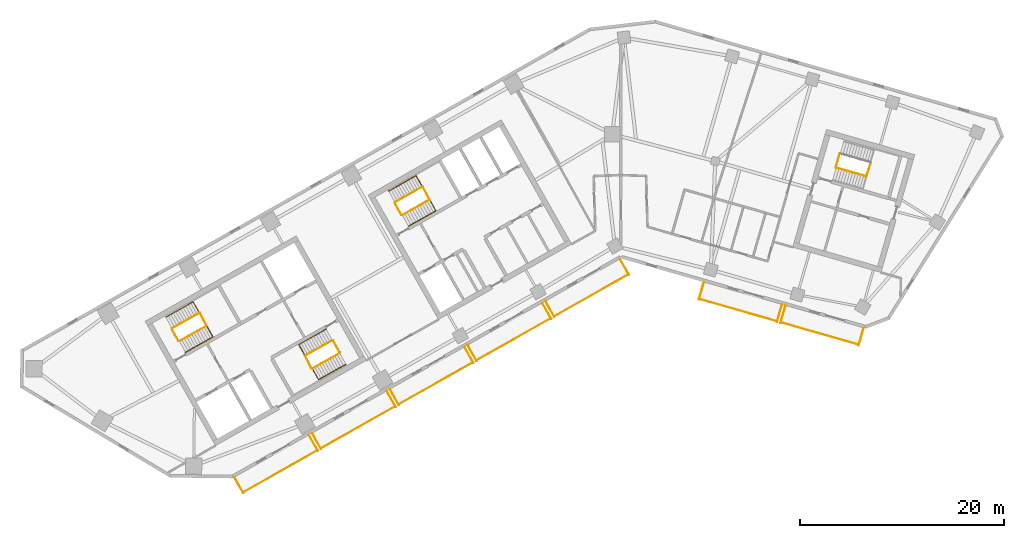
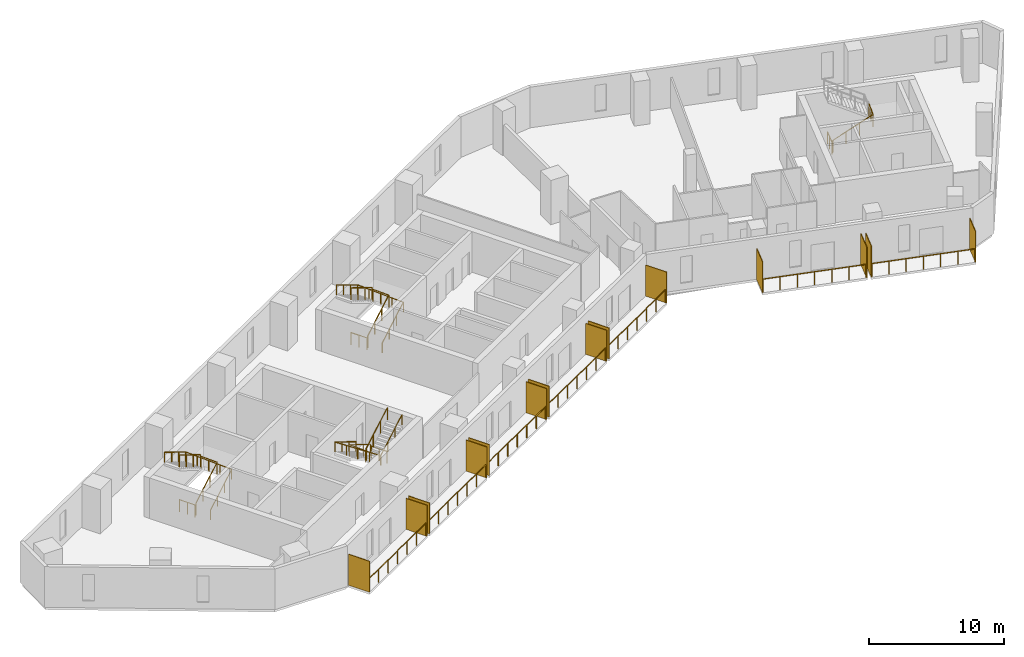
# One storey, part 8 of 9: 21 railings, 14 shading devices.
"""IFC4 building model written with IfcOpenShell, lengths in metres."""

import ifcopenshell
import ifcopenshell.guid

model = None  # the IFC model being written
_history = None  # IfcOwnerHistory: only IFC2X3 demands one
_inside = {}  # id of a spatial element -> (the spatial element, [elements in it])
_under = {}  # id of a project, library or spatial element -> (it, [spatial elements below it])
_declared = {}  # id of a project -> (the project, [libraries it declares])
_typed = {}  # id of a type object -> (the type object, [elements of that type])
_made_of = {}  # id of a material, layer set ... -> (it, [elements and type objects made of it])


def new_model(schema):
    """Start an empty IFC model of exactly this schema.

    Asked for "IFC4X3", IfcOpenShell would pick the latest addendum, in which some entities
    have other attributes; the version numbers below select the first issue.
    IFC2X3 requires an IfcOwnerHistory on every rooted entity: one is made here for all.
    """
    global model, _history
    if schema == "IFC4X3":
        model = ifcopenshell.file(schema_version=(4, 3, 0, 0))
    else:
        model = ifcopenshell.file(schema=schema)
    _inside.clear()
    _under.clear()
    _declared.clear()
    _typed.clear()
    _made_of.clear()
    _history = None
    if model.schema == "IFC2X3":
        org = make("IfcOrganization", Name="unknown")
        user = make(
            "IfcPersonAndOrganization",
            ThePerson=make("IfcPerson", FamilyName="unknown"),
            TheOrganization=org,
        )
        app = make(
            "IfcApplication",
            ApplicationDeveloper=org,
            Version="unknown",
            ApplicationFullName="unknown",
            ApplicationIdentifier="unknown",
        )
        _history = make(
            "IfcOwnerHistory",
            OwningUser=user,
            OwningApplication=app,
            ChangeAction="ADDED",
            CreationDate=0,
        )
    return model


def make(cls, **values):
    """One entity of the class cls with the attributes given. An attribute that is None is left unset."""
    return model.create_entity(
        cls, **{name: value for name, value in values.items() if value is not None}
    )


def rooted(cls, **values):
    """An entity with a GlobalId (a new one), such as an element, a storey or a relation."""
    return make(cls, GlobalId=ifcopenshell.guid.new(), OwnerHistory=_history, **values)


def si_unit(unit_type, name, prefix=None):
    """IfcSIUnit, for example si_unit("LENGTHUNIT", "METRE", prefix="MILLI")."""
    return make("IfcSIUnit", UnitType=unit_type, Prefix=prefix, Name=name)


def assignment(units):
    """IfcUnitAssignment: the units of a project."""
    return None if units is None else make("IfcUnitAssignment", Units=units)


def point(xyz):
    """IfcCartesianPoint."""
    return None if xyz is None else make("IfcCartesianPoint", Coordinates=xyz)


def direction(xyz):
    """IfcDirection."""
    return None if xyz is None else make("IfcDirection", DirectionRatios=xyz)


def frame(location, z_axis=None, x_axis=None):
    """IfcAxis2Placement3D, a coordinate frame: its origin and axes. An axis left out is left unset."""
    return make(
        "IfcAxis2Placement3D",
        Location=point(location),
        Axis=direction(z_axis),
        RefDirection=direction(x_axis),
    )


def frame_2d(location, x_axis=None):
    """IfcAxis2Placement2D, a coordinate frame in the plane: its origin and x axis."""
    return make(
        "IfcAxis2Placement2D", Location=point(location), RefDirection=direction(x_axis)
    )


def origin():
    """The frame at (0, 0, 0) with its axes left unset."""
    return frame((0.0, 0.0, 0.0))


def origin_2d():
    """The frame at (0, 0) in the plane with its x axis left unset."""
    return frame_2d((0.0, 0.0))


def place(relative_to, where):
    """IfcLocalPlacement: puts the frame where relative to a parent placement (None: the world)."""
    return make(
        "IfcLocalPlacement", PlacementRelTo=relative_to, RelativePlacement=where
    )


def context(
    kind, dimensions, precision=None, world=None, true_north=None, identifier=None
):
    """IfcGeometricRepresentationContext, for example the 3D "Model" context."""
    return make(
        "IfcGeometricRepresentationContext",
        ContextIdentifier=identifier,
        ContextType=kind,
        CoordinateSpaceDimension=dimensions,
        Precision=precision,
        WorldCoordinateSystem=world,
        TrueNorth=true_north,
    )


def subcontext(parent, identifier, kind, view, scale=None):
    """IfcGeometricRepresentationSubContext, for example "Body" below "Model"."""
    return make(
        "IfcGeometricRepresentationSubContext",
        ContextIdentifier=identifier,
        ContextType=kind,
        ParentContext=parent,
        TargetScale=scale,
        TargetView=view,
    )


def project(units=None, contexts=None):
    """IfcProject with its units and contexts."""
    return rooted(
        "IfcProject",
        Name="project",
        RepresentationContexts=contexts,
        UnitsInContext=assignment(units),
    )


def spatial(cls, under=None, at=None, **own):
    """A site, building, storey or space (cls), placed at a placement, below another one or the project."""
    s = rooted(cls, ObjectPlacement=at, **own)
    if under is not None:
        _under.setdefault(under.id(), (under, []))[1].append(s)
    return s


def profile(cls, at=None, kind="AREA", **sizes):
    """A parametric profile (cls). Its sizes go by their IFC names, for example OverallWidth=200.0."""
    return make(cls, ProfileType=kind, Position=at, **sizes)


def rectangle(**sizes):
    """IfcRectangleProfileDef."""
    return profile("IfcRectangleProfileDef", **sizes)


def circle(**sizes):
    """IfcCircleProfileDef."""
    return profile("IfcCircleProfileDef", **sizes)


def extrude(swept, where, along, depth):
    """IfcExtrudedAreaSolid: the profile swept, set in the frame where, extruded along a direction by depth."""
    return make(
        "IfcExtrudedAreaSolid",
        SweptArea=swept,
        Position=where,
        ExtrudedDirection=direction(along),
        Depth=depth,
    )


def shape(context_of_items, identifier, shape_type, items):
    """IfcShapeRepresentation: the items that make up one representation, for example the "Body"."""
    return make(
        "IfcShapeRepresentation",
        ContextOfItems=context_of_items,
        RepresentationIdentifier=identifier,
        RepresentationType=shape_type,
        Items=items,
    )


def material(Name=None, Category=None):
    """IfcMaterial."""
    return make("IfcMaterial", Name=Name, Category=Category)


def layer(
    of_material, thickness, ventilated=None, Name=None, Category=None, Priority=None
):
    """IfcMaterialLayer: one layer of a wall or slab, of a material (None: an air gap)."""
    return make(
        "IfcMaterialLayer",
        Material=of_material,
        LayerThickness=thickness,
        IsVentilated=ventilated,
        Name=Name,
        Category=Category,
        Priority=Priority,
    )


def layer_set(layers, Name=None):
    """IfcMaterialLayerSet."""
    return make("IfcMaterialLayerSet", MaterialLayers=layers, LayerSetName=Name)


def made_of(thing, what):
    """Note that an element or type object is made of a material, layer set ...; save() writes the relation."""
    if what is not None:
        _made_of.setdefault(what.id(), (what, []))[1].append(thing)
    return thing


def type_object(cls, material=None, **own):
    """A type object (cls), such as IfcWallType, which elements share."""
    return made_of(rooted(cls, **own), material)


def element(
    cls,
    number,
    at=None,
    inside=None,
    cuts=None,
    type_object=None,
    material=None,
    context=None,
    identifier="Body",
    shape_type=None,
    held_by="IfcProductDefinitionShape",
    body=None,
    shapes=None,
    **own,
):
    """One element of the class cls, such as IfcWall. Its Tag is "e" and its number.

    at: its placement. inside: the storey or other place that contains it. cuts: it is an
    opening in that element (IfcRelVoidsElement). A single representation is given by context,
    identifier, shape_type and body (its items); several are given by shapes. held_by: the class
    of the entity that holds the representations. save() writes the other relations.
    """
    e = rooted(cls, Tag="e%d" % number, ObjectPlacement=at, **own)
    if body is not None:
        shapes = [shape(context, identifier, shape_type, body)]
    if shapes is not None:
        e.Representation = make(held_by, Representations=shapes)
    if inside is not None:
        _inside.setdefault(inside.id(), (inside, []))[1].append(e)
    if cuts is not None:
        rooted(
            "IfcRelVoidsElement", RelatingBuildingElement=cuts, RelatedOpeningElement=e
        )
    if type_object is not None:
        _typed.setdefault(type_object.id(), (type_object, []))[1].append(e)
    return made_of(e, material)


def aggregate(whole, parts):
    """IfcRelAggregates: a whole, such as a stair, and the parts it consists of."""
    return rooted("IfcRelAggregates", RelatingObject=whole, RelatedObjects=parts)


def save(model, path):
    """Write the relations noted so far, then the file.

    IfcRelAggregates (storeys below a building ...), IfcRelContainedInSpatialStructure (elements
    in a storey), IfcRelDefinesByType, IfcRelAssociatesMaterial and IfcRelDeclares: one each for
    every whole, place, type object, material and project.
    """
    for whole, parts in _under.values():
        aggregate(whole, parts)
    for where, things in _inside.values():
        rooted(
            "IfcRelContainedInSpatialStructure",
            RelatedElements=things,
            RelatingStructure=where,
        )
    for kind, things in _typed.values():
        rooted("IfcRelDefinesByType", RelatedObjects=things, RelatingType=kind)
    for what, things in _made_of.values():
        rooted("IfcRelAssociatesMaterial", RelatedObjects=things, RelatingMaterial=what)
    for by, libraries in _declared.values():
        rooted("IfcRelDeclares", RelatingContext=by, RelatedDefinitions=libraries)
    model.write(path)


model = new_model("IFC4")

# Units and contexts
model_context = context("Model", 3, precision=1e-05, world=origin(), true_north=direction((0.0, 1.0)))
body_context = subcontext(model_context, "Body", "Model", "MODEL_VIEW")
ifc_project = project(units=[si_unit("LENGTHUNIT", "METRE"), si_unit("AREAUNIT", "SQUARE_METRE"), si_unit("VOLUMEUNIT", "CUBIC_METRE"), si_unit("PLANEANGLEUNIT", "RADIAN"), si_unit("MASSUNIT", "GRAM", prefix="KILO")], contexts=[model_context])

# Site, building, storey
site_placement = place(None, origin())
site = spatial("IfcSite", under=ifc_project, at=site_placement, CompositionType="ELEMENT")
building_placement = place(site_placement, origin())
building = spatial("IfcBuilding", under=site, at=building_placement, Name="Binnacle Exchange Tower", CompositionType="ELEMENT")
storey_placement = place(building_placement, frame((0.0, 0.0, 190.89990234375)))
storey = spatial("IfcBuildingStorey", under=building, at=storey_placement, Name="L41", CompositionType="ELEMENT", Elevation=190.89990234375)

# Railings
ifc_material_1 = material(Name="Bronze anodised aluminium frame", Category="aluminium")
railing_type_1 = type_object("IfcRailingType", Name="GUARD 1200", PredefinedType="GUARDRAIL", material=ifc_material_1)
railing_1_placement = place(storey_placement, frame((-36.994140625, 24.921142578125, 0.0)))
element("IfcRailing", 1, at=railing_1_placement, inside=storey, type_object=railing_type_1, Name="Balcony guard G01-B00 L41", PredefinedType="GUARDRAIL", context=body_context, shape_type="SweptSolid", body=[
    extrude(circle(Radius=0.02392578125, at=origin_2d()), frame((0.0, 0.0, 1.17578125), z_axis=(0.8703461643, 0.49244040684, 0.0), x_axis=(-0.49244040684, 0.8703461643, 0.0)), (0.0, 0.0, 1.0), 8.33447265625),
    extrude(circle(Radius=0.02099609375, at=origin_2d()), origin(), (0.0, 0.0, 1.0), 1.15185546875),
    extrude(circle(Radius=0.02099609375, at=origin_2d()), frame((1.208984375, 0.68408203125, 0.0)), (0.0, 0.0, 1.0), 1.15185546875),
    extrude(circle(Radius=0.02099609375, at=origin_2d()), frame((2.41796875, 1.3681640625, 0.0)), (0.0, 0.0, 1.0), 1.15185546875),
    extrude(circle(Radius=0.02099609375, at=origin_2d()), frame((3.626953125, 2.05224609375, 0.0)), (0.0, 0.0, 1.0), 1.15185546875),
    extrude(circle(Radius=0.02099609375, at=origin_2d()), frame((4.8359375, 2.736083984375, 0.0)), (0.0, 0.0, 1.0), 1.15185546875),
    extrude(circle(Radius=0.02099609375, at=origin_2d()), frame((6.044921875, 3.420166015625, 0.0)), (0.0, 0.0, 1.0), 1.15185546875),
    extrude(circle(Radius=0.02099609375, at=origin_2d()), frame((7.25390625, 4.104248046875, 0.0)), (0.0, 0.0, 1.0), 1.15185546875),
])
railing_2_placement = place(storey_placement, frame((-29.374755859375, 29.232177734375, 0.0)))
element("IfcRailing", 2, at=railing_2_placement, inside=storey, type_object=railing_type_1, Name="Balcony guard G01-B01 L41", PredefinedType="GUARDRAIL", context=body_context, shape_type="SweptSolid", body=[
    extrude(circle(Radius=0.02392578125, at=origin_2d()), frame((0.0, 0.0, 1.17578125), z_axis=(0.870365821494, 0.492405662818, 0.0), x_axis=(-0.492405662818, 0.870365821494, 0.0)), (0.0, 0.0, 1.0), 8.334716796875),
    extrude(circle(Radius=0.02099609375, at=origin_2d()), origin(), (0.0, 0.0, 1.0), 1.15185546875),
    extrude(circle(Radius=0.02099609375, at=origin_2d()), frame((1.208984375, 0.68408203125, 0.0)), (0.0, 0.0, 1.0), 1.15185546875),
    extrude(circle(Radius=0.02099609375, at=origin_2d()), frame((2.41796875, 1.367919921875, 0.0)), (0.0, 0.0, 1.0), 1.15185546875),
    extrude(circle(Radius=0.02099609375, at=origin_2d()), frame((3.626953125, 2.052001953125, 0.0)), (0.0, 0.0, 1.0), 1.15185546875),
    extrude(circle(Radius=0.02099609375, at=origin_2d()), frame((4.836181640625, 2.736083984375, 0.0)), (0.0, 0.0, 1.0), 1.15185546875),
    extrude(circle(Radius=0.02099609375, at=origin_2d()), frame((6.045166015625, 3.419921875, 0.0)), (0.0, 0.0, 1.0), 1.15185546875),
    extrude(circle(Radius=0.02099609375, at=origin_2d()), frame((7.254150390625, 4.10400390625, 0.0)), (0.0, 0.0, 1.0), 1.15185546875),
])
railing_3_placement = place(storey_placement, frame((-21.7548828125, 33.54296875, 0.0)))
element("IfcRailing", 3, at=railing_3_placement, inside=storey, type_object=railing_type_1, Name="Balcony guard G01-B02 L41", PredefinedType="GUARDRAIL", context=body_context, shape_type="SweptSolid", body=[
    extrude(circle(Radius=0.02392578125, at=origin_2d()), frame((0.0, 0.0, 1.17578125), z_axis=(0.870339060608, 0.492452961795, 0.0), x_axis=(-0.492452961795, 0.870339060608, 0.0)), (0.0, 0.0, 1.0), 8.334228515625),
    extrude(circle(Radius=0.02099609375, at=origin_2d()), origin(), (0.0, 0.0, 1.0), 1.15185546875),
    extrude(circle(Radius=0.02099609375, at=origin_2d()), frame((1.208984375, 0.68408203125, 0.0)), (0.0, 0.0, 1.0), 1.15185546875),
    extrude(circle(Radius=0.02099609375, at=origin_2d()), frame((2.41796875, 1.3681640625, 0.0)), (0.0, 0.0, 1.0), 1.15185546875),
    extrude(circle(Radius=0.02099609375, at=origin_2d()), frame((3.626953125, 2.05224609375, 0.0)), (0.0, 0.0, 1.0), 1.15185546875),
    extrude(circle(Radius=0.02099609375, at=origin_2d()), frame((4.835693359375, 2.736083984375, 0.0)), (0.0, 0.0, 1.0), 1.15185546875),
    extrude(circle(Radius=0.02099609375, at=origin_2d()), frame((6.044677734375, 3.420166015625, 0.0)), (0.0, 0.0, 1.0), 1.15185546875),
    extrude(circle(Radius=0.02099609375, at=origin_2d()), frame((7.253662109375, 4.104248046875, 0.0)), (0.0, 0.0, 1.0), 1.15185546875),
])
railing_4_placement = place(storey_placement, frame((-14.135498046875, 37.85400390625, 0.0)))
element("IfcRailing", 4, at=railing_4_placement, inside=storey, type_object=railing_type_1, Name="Balcony guard G01-B03 L41", PredefinedType="GUARDRAIL", context=body_context, shape_type="SweptSolid", body=[
    extrude(circle(Radius=0.02392578125, at=origin_2d()), frame((0.0, 0.0, 1.17578125), z_axis=(0.870365821494, 0.492405662818, 0.0), x_axis=(-0.492405662818, 0.870365821494, 0.0)), (0.0, 0.0, 1.0), 8.334716796875),
    extrude(circle(Radius=0.02099609375, at=origin_2d()), origin(), (0.0, 0.0, 1.0), 1.15185546875),
    extrude(circle(Radius=0.02099609375, at=origin_2d()), frame((1.208984375, 0.68408203125, 0.0)), (0.0, 0.0, 1.0), 1.15185546875),
    extrude(circle(Radius=0.02099609375, at=origin_2d()), frame((2.41796875, 1.367919921875, 0.0)), (0.0, 0.0, 1.0), 1.15185546875),
    extrude(circle(Radius=0.02099609375, at=origin_2d()), frame((3.626953125, 2.052001953125, 0.0)), (0.0, 0.0, 1.0), 1.15185546875),
    extrude(circle(Radius=0.02099609375, at=origin_2d()), frame((4.836181640625, 2.736083984375, 0.0)), (0.0, 0.0, 1.0), 1.15185546875),
    extrude(circle(Radius=0.02099609375, at=origin_2d()), frame((6.045166015625, 3.419921875, 0.0)), (0.0, 0.0, 1.0), 1.15185546875),
    extrude(circle(Radius=0.02099609375, at=origin_2d()), frame((7.254150390625, 4.10400390625, 0.0)), (0.0, 0.0, 1.0), 1.15185546875),
])
railing_5_placement = place(storey_placement, frame((-6.515869140625, 42.164794921875, 0.0)))
element("IfcRailing", 5, at=railing_5_placement, inside=storey, type_object=railing_type_1, Name="Balcony guard G01-B04 L41", PredefinedType="GUARDRAIL", context=body_context, shape_type="SweptSolid", body=[
    extrude(circle(Radius=0.02392578125, at=origin_2d()), frame((0.0, 0.0, 1.17578125), z_axis=(0.8703461643, 0.49244040684, 0.0), x_axis=(-0.49244040684, 0.8703461643, 0.0)), (0.0, 0.0, 1.0), 8.33447265625),
    extrude(circle(Radius=0.02099609375, at=origin_2d()), origin(), (0.0, 0.0, 1.0), 1.15185546875),
    extrude(circle(Radius=0.02099609375, at=origin_2d()), frame((1.208984375, 0.68408203125, 0.0)), (0.0, 0.0, 1.0), 1.15185546875),
    extrude(circle(Radius=0.02099609375, at=origin_2d()), frame((2.41796875, 1.3681640625, 0.0)), (0.0, 0.0, 1.0), 1.15185546875),
    extrude(circle(Radius=0.02099609375, at=origin_2d()), frame((3.626953125, 2.05224609375, 0.0)), (0.0, 0.0, 1.0), 1.15185546875),
    extrude(circle(Radius=0.02099609375, at=origin_2d()), frame((4.8359375, 2.736083984375, 0.0)), (0.0, 0.0, 1.0), 1.15185546875),
    extrude(circle(Radius=0.02099609375, at=origin_2d()), frame((6.044921875, 3.420166015625, 0.0)), (0.0, 0.0, 1.0), 1.15185546875),
    extrude(circle(Radius=0.02099609375, at=origin_2d()), frame((7.25390625, 4.104248046875, 0.0)), (0.0, 0.0, 1.0), 1.15185546875),
])
for number, where, name in (
    (6, (7.6845703125, 43.85107421875, 0.0), "Balcony guard G02-B01 L41"),
    (7, (15.6826171875, 41.5576171875, 0.0), "Balcony guard G02-B02 L41"),
):
    element("IfcRailing", number, at=place(storey_placement, frame(where)), inside=storey, type_object=railing_type_1, Name=name, PredefinedType="GUARDRAIL", context=body_context, shape_type="SweptSolid", body=[
        extrude(circle(Radius=0.02392578125, at=origin_2d()), frame((0.0, 0.0, 1.17578125), z_axis=(0.961265805968, -0.275623022035, 0.0), x_axis=(0.275623022035, 0.961265805968, 0.0)), (0.0, 0.0, 1.0), 7.900146484375),
        extrude(circle(Radius=0.02099609375, at=origin_2d()), origin(), (0.0, 0.0, 1.0), 1.15185546875),
        extrude(circle(Radius=0.02099609375, at=origin_2d()), frame((1.265625, -0.36279296875, 0.0)), (0.0, 0.0, 1.0), 1.15185546875),
        extrude(circle(Radius=0.02099609375, at=origin_2d()), frame((2.531494140625, -0.725830078125, 0.0)), (0.0, 0.0, 1.0), 1.15185546875),
        extrude(circle(Radius=0.02099609375, at=origin_2d()), frame((3.797119140625, -1.0888671875, 0.0)), (0.0, 0.0, 1.0), 1.15185546875),
        extrude(circle(Radius=0.02099609375, at=origin_2d()), frame((5.062744140625, -1.45166015625, 0.0)), (0.0, 0.0, 1.0), 1.15185546875),
        extrude(circle(Radius=0.02099609375, at=origin_2d()), frame((6.32861328125, -1.814453125, 0.0)), (0.0, 0.0, 1.0), 1.15185546875),
        extrude(circle(Radius=0.02099609375, at=origin_2d()), frame((7.59423828125, -2.177490234375, 0.0)), (0.0, 0.0, 1.0), 1.15185546875),
    ])

# Shading devices
ifc_material_2 = material(Name="Bronze aluminium louvre", Category="aluminium")
ifc_layer = layer(ifc_material_2, 0.06005859375)
ifc_layer_set = layer_set([ifc_layer], Name="PLANTED SCREEN 60x2800")
shading_device_type = type_object("IfcShadingDeviceType", Name="PLANTED SCREEN 60x2800", PredefinedType="USERDEFINED", material=ifc_layer_set)
for number, where, z_axis, x_axis, name in (
    (8, (-37.424072265625, 25.6201171875, 0.0), (0.0, 0.0, 1.0), (0.87035569594, 0.492423560103, 0.0), "Planted screen G01-B00a L41"),
    (9, (-30.117919921875, 29.753662109375, 0.0), (0.0, 0.0, 1.0), (0.87035569594, 0.492423560103, 0.0), "Planted screen G01-B00b L41"),
    (10, (-29.8046875, 29.930908203125, 0.0), (0.0, 0.0, 1.0), (0.87035569594, 0.492423560103, 0.0), "Planted screen G01-B01a L41"),
    (11, (-22.498291015625, 34.064697265625, 0.0), (0.0, 0.0, 1.0), (0.87035569594, 0.492423560103, 0.0), "Planted screen G01-B01b L41"),
    (12, (-22.184814453125, 34.241943359375, 0.0), (0.0, 0.0, 1.0), (0.87035569594, 0.492423560103, 0.0), "Planted screen G01-B02a L41"),
    (13, (-14.878662109375, 38.37548828125, 0.0), (0.0, 0.0, 1.0), (0.87035569594, 0.492423560103, 0.0), "Planted screen G01-B02b L41"),
    (14, (-14.5654296875, 38.552978515625, 0.0), (0.0, 0.0, 1.0), (0.87035569594, 0.492423560103, 0.0), "Planted screen G01-B03a L41"),
    (15, (-7.259033203125, 42.6865234375, 0.0), (0.0, 0.0, 1.0), (0.87035569594, 0.492423560103, 0.0), "Planted screen G01-B03b L41"),
    (16, (-6.94580078125, 42.864013671875, 0.0), (0.0, 0.0, 1.0), (0.87035569594, 0.492423560103, 0.0), "Planted screen G01-B04a L41"),
    (17, (0.3603515625, 46.99755859375, 0.0), (0.0, 0.0, 1.0), (0.87035569594, 0.492423560103, 0.0), "Planted screen G01-B04b L41"),
    (18, (7.881591796875, 44.647705078125, 0.0), (0.0, 0.0, 1.0), (0.961261695938, -0.275637355817, 0.0), "Planted screen G02-B01a L41"),
    (19, (15.53369140625, 42.45361328125, 0.0), (0.0, 0.0, 1.0), (0.961261695938, -0.275637355817, 0.0), "Planted screen G02-B01b L41"),
    (20, (15.8798828125, 42.354248046875, 0.0), (0.0, 0.0, 1.0), (0.961261695938, -0.275637355817, 0.0), "Planted screen G02-B02a L41"),
    (21, (23.53173828125, 40.16015625, 0.0), (0.0, 0.0, 1.0), (0.961261695938, -0.275637355817, 0.0), "Planted screen G02-B02b L41"),
):
    element("IfcShadingDevice", number, at=place(storey_placement, frame(where, z_axis=z_axis, x_axis=x_axis)), inside=storey, type_object=shading_device_type, Name=name, ObjectType="SCREEN", PredefinedType="USERDEFINED", context=body_context, shape_type="SweptSolid", body=[
        extrude(rectangle(XDim=0.06005859375, YDim=1.800048828125, at=origin_2d()), origin(), (0.0, 0.0, 1.0), 2.800048828125),
    ])

# Railings
ifc_material_3 = material(Name="Steel guard rail", Category="steel")
railing_type_2 = type_object("IfcRailingType", Name="STAIR GUARD 1100", PredefinedType="GUARDRAIL", material=ifc_material_3)
railing_6_placement = place(storey_placement, frame((-43.26171875, 39.71728515625, 0.166748046875)))
element("IfcRailing", 22, at=railing_6_placement, inside=storey, type_object=railing_type_2, Name="L41 STA1 stair guard 1", PredefinedType="GUARDRAIL", context=body_context, shape_type="SweptSolid", body=[
    extrude(circle(Radius=0.02392578125, at=origin_2d()), frame((0.0, 0.0, 1.076171875), z_axis=(0.747900833971, 0.423129324283, 0.511474258861), x_axis=(-0.492412445098, 0.870361984414, 0.0)), (0.0, 0.0, 1.0), 3.584228515625),
    extrude(circle(Radius=0.02392578125, at=origin_2d()), frame((2.6806640625, 1.5166015625, 2.9091796875), z_axis=(-0.461100321709, 0.887348011391, 0.0), x_axis=(-0.887348011391, -0.461100321709, 0.0)), (0.0, 0.0, 1.0), 1.40087890625),
    extrude(circle(Radius=0.02099609375, at=origin_2d()), origin(), (0.0, 0.0, 1.0), 1.052001953125),
    extrude(circle(Radius=0.02099609375, at=origin_2d()), frame((0.8935546875, 0.505615234375, 0.611083984375)), (0.0, 0.0, 1.0), 1.052001953125),
    extrude(circle(Radius=0.02099609375, at=origin_2d()), frame((1.787109375, 1.010986328125, 1.22216796875)), (0.0, 0.0, 1.0), 1.052001953125),
    extrude(circle(Radius=0.02099609375, at=origin_2d()), frame((2.6806640625, 1.5166015625, 1.833251953125)), (0.0, 0.0, 1.0), 1.052001953125),
    extrude(circle(Radius=0.02099609375, at=origin_2d()), frame((2.357666015625, 2.13818359375, 1.833251953125)), (0.0, 0.0, 1.0), 1.052001953125),
    extrude(circle(Radius=0.02099609375, at=origin_2d()), frame((2.03466796875, 2.759765625, 1.833251953125)), (0.0, 0.0, 1.0), 1.052001953125),
])
railing_7_placement = place(storey_placement, frame((-41.295166015625, 42.49609375, 2.166748046875)))
element("IfcRailing", 23, at=railing_7_placement, inside=storey, type_object=railing_type_2, Name="L41 STA1 stair guard 2", PredefinedType="GUARDRAIL", context=body_context, shape_type="SweptSolid", body=[
    extrude(circle(Radius=0.02392578125, at=origin_2d()), frame((0.0, 0.0, 1.076171875), z_axis=(-0.747879277632, -0.423185241524, 0.511459516916), x_axis=(0.492472489424, -0.870328011247, 0.0)), (0.0, 0.0, 1.0), 3.58447265625),
    extrude(circle(Radius=0.02099609375, at=origin_2d()), origin(), (0.0, 0.0, 1.0), 1.052001953125),
    extrude(circle(Radius=0.02099609375, at=origin_2d()), frame((-0.8935546875, -0.505615234375, 0.611083984375)), (0.0, 0.0, 1.0), 1.052001953125),
    extrude(circle(Radius=0.02099609375, at=origin_2d()), frame((-1.787109375, -1.01123046875, 1.22216796875)), (0.0, 0.0, 1.0), 1.052001953125),
    extrude(circle(Radius=0.02099609375, at=origin_2d()), frame((-2.6806640625, -1.516845703125, 1.833251953125)), (0.0, 0.0, 1.0), 1.052001953125),
])
railing_8_placement = place(storey_placement, frame((-43.329833984375, 39.736328125, 0.0)))
element("IfcRailing", 24, at=railing_8_placement, inside=storey, type_object=railing_type_2, Name="L41 STA1 stair guard 3", PredefinedType="GUARDRAIL", context=body_context, shape_type="SweptSolid", body=[
    extrude(circle(Radius=0.02392578125, at=origin_2d()), frame((0.0, 0.0, 1.076171875), z_axis=(-0.4924922531, 0.870316827734, 0.0), x_axis=(-0.870316827734, -0.4924922531, 0.0)), (0.0, 0.0, 1.0), 1.349853515625),
    extrude(circle(Radius=0.02099609375, at=origin_2d()), origin(), (0.0, 0.0, 1.0), 1.052001953125),
    extrude(circle(Radius=0.02099609375, at=origin_2d()), frame((-0.33251953125, 0.58740234375, 0.0)), (0.0, 0.0, 1.0), 1.052001953125),
    extrude(circle(Radius=0.02099609375, at=origin_2d()), frame((-0.664794921875, 1.1748046875, 0.0)), (0.0, 0.0, 1.0), 1.052001953125),
])
railing_9_placement = place(storey_placement, frame((-28.265380859375, 39.814453125, 0.166748046875)))
element("IfcRailing", 25, at=railing_9_placement, inside=storey, type_object=railing_type_2, Name="L41 STA2 stair guard 1", PredefinedType="GUARDRAIL", context=body_context, shape_type="SweptSolid", body=[
    extrude(circle(Radius=0.02392578125, at=origin_2d()), frame((0.0, 0.0, 1.076171875), z_axis=(-0.747900833971, -0.423129324283, 0.511474258861), x_axis=(0.492412445098, -0.870361984414, 0.0)), (0.0, 0.0, 1.0), 3.584228515625),
    extrude(circle(Radius=0.02392578125, at=origin_2d()), frame((-2.6806640625, -1.5166015625, 2.9091796875), z_axis=(0.460963092712, -0.887419307406, 0.0), x_axis=(0.887419307406, 0.460963092712, 0.0)), (0.0, 0.0, 1.0), 1.40087890625),
    extrude(circle(Radius=0.02099609375, at=origin_2d()), origin(), (0.0, 0.0, 1.0), 1.052001953125),
    extrude(circle(Radius=0.02099609375, at=origin_2d()), frame((-0.8935546875, -0.505615234375, 0.611083984375)), (0.0, 0.0, 1.0), 1.052001953125),
    extrude(circle(Radius=0.02099609375, at=origin_2d()), frame((-1.787109375, -1.010986328125, 1.22216796875)), (0.0, 0.0, 1.0), 1.052001953125),
    extrude(circle(Radius=0.02099609375, at=origin_2d()), frame((-2.6806640625, -1.5166015625, 1.833251953125)), (0.0, 0.0, 1.0), 1.052001953125),
    extrude(circle(Radius=0.02099609375, at=origin_2d()), frame((-2.35791015625, -2.13818359375, 1.833251953125)), (0.0, 0.0, 1.0), 1.052001953125),
    extrude(circle(Radius=0.02099609375, at=origin_2d()), frame((-2.034912109375, -2.759765625, 1.833251953125)), (0.0, 0.0, 1.0), 1.052001953125),
])
railing_10_placement = place(storey_placement, frame((-30.232177734375, 37.035888671875, 2.166748046875)))
element("IfcRailing", 26, at=railing_10_placement, inside=storey, type_object=railing_type_2, Name="L41 STA2 stair guard 2", PredefinedType="GUARDRAIL", context=body_context, shape_type="SweptSolid", body=[
    extrude(circle(Radius=0.02392578125, at=origin_2d()), frame((0.0, 0.0, 1.076171875), z_axis=(0.747900833971, 0.423129324283, 0.511474258861), x_axis=(-0.492412445098, 0.870361984414, 0.0)), (0.0, 0.0, 1.0), 3.584228515625),
    extrude(circle(Radius=0.02099609375, at=origin_2d()), origin(), (0.0, 0.0, 1.0), 1.052001953125),
    extrude(circle(Radius=0.02099609375, at=origin_2d()), frame((0.8935546875, 0.505615234375, 0.611083984375)), (0.0, 0.0, 1.0), 1.052001953125),
    extrude(circle(Radius=0.02099609375, at=origin_2d()), frame((1.787109375, 1.010986328125, 1.22216796875)), (0.0, 0.0, 1.0), 1.052001953125),
    extrude(circle(Radius=0.02099609375, at=origin_2d()), frame((2.6806640625, 1.5166015625, 1.833251953125)), (0.0, 0.0, 1.0), 1.052001953125),
])
railing_11_placement = place(storey_placement, frame((-28.197265625, 39.795654296875, 0.0)))
element("IfcRailing", 27, at=railing_11_placement, inside=storey, type_object=railing_type_2, Name="L41 STA2 stair guard 3", PredefinedType="GUARDRAIL", context=body_context, shape_type="SweptSolid", body=[
    extrude(circle(Radius=0.02392578125, at=origin_2d()), frame((0.0, 0.0, 1.076171875), z_axis=(0.49241474071, -0.870360685654, 0.0), x_axis=(0.870360685654, 0.49241474071, 0.0)), (0.0, 0.0, 1.0), 1.35009765625),
    extrude(circle(Radius=0.02099609375, at=origin_2d()), origin(), (0.0, 0.0, 1.0), 1.052001953125),
    extrude(circle(Radius=0.02099609375, at=origin_2d()), frame((0.33251953125, -0.58740234375, 0.0)), (0.0, 0.0, 1.0), 1.052001953125),
    extrude(circle(Radius=0.02099609375, at=origin_2d()), frame((0.664794921875, -1.175048828125, 0.0)), (0.0, 0.0, 1.0), 1.052001953125),
])
railing_12_placement = place(storey_placement, frame((-21.423828125, 52.07275390625, 0.166748046875)))
element("IfcRailing", 28, at=railing_12_placement, inside=storey, type_object=railing_type_2, Name="L41 STC1 stair guard 1", PredefinedType="GUARDRAIL", context=body_context, shape_type="SweptSolid", body=[
    extrude(circle(Radius=0.02392578125, at=origin_2d()), frame((0.0, 0.0, 1.076171875), z_axis=(0.747900833971, 0.423129324283, 0.511474258861), x_axis=(-0.492412445098, 0.870361984414, 0.0)), (0.0, 0.0, 1.0), 3.584228515625),
    extrude(circle(Radius=0.02392578125, at=origin_2d()), frame((2.6806640625, 1.5166015625, 2.9091796875), z_axis=(-0.460963092712, 0.887419307406, 0.0), x_axis=(-0.887419307406, -0.460963092712, 0.0)), (0.0, 0.0, 1.0), 1.40087890625),
    extrude(circle(Radius=0.02099609375, at=origin_2d()), origin(), (0.0, 0.0, 1.0), 1.052001953125),
    extrude(circle(Radius=0.02099609375, at=origin_2d()), frame((0.8935546875, 0.505615234375, 0.611083984375)), (0.0, 0.0, 1.0), 1.052001953125),
    extrude(circle(Radius=0.02099609375, at=origin_2d()), frame((1.787109375, 1.010986328125, 1.22216796875)), (0.0, 0.0, 1.0), 1.052001953125),
    extrude(circle(Radius=0.02099609375, at=origin_2d()), frame((2.6806640625, 1.5166015625, 1.833251953125)), (0.0, 0.0, 1.0), 1.052001953125),
    extrude(circle(Radius=0.02099609375, at=origin_2d()), frame((2.35791015625, 2.13818359375, 1.833251953125)), (0.0, 0.0, 1.0), 1.052001953125),
    extrude(circle(Radius=0.02099609375, at=origin_2d()), frame((2.034912109375, 2.759765625, 1.833251953125)), (0.0, 0.0, 1.0), 1.052001953125),
])
railing_13_placement = place(storey_placement, frame((-19.45703125, 54.851318359375, 2.166748046875)))
element("IfcRailing", 29, at=railing_13_placement, inside=storey, type_object=railing_type_2, Name="L41 STC1 stair guard 2", PredefinedType="GUARDRAIL", context=body_context, shape_type="SweptSolid", body=[
    extrude(circle(Radius=0.02392578125, at=origin_2d()), frame((0.0, 0.0, 1.076171875), z_axis=(-0.747900833971, -0.423129324283, 0.511474258861), x_axis=(0.492412445098, -0.870361984414, 0.0)), (0.0, 0.0, 1.0), 3.584228515625),
    extrude(circle(Radius=0.02099609375, at=origin_2d()), origin(), (0.0, 0.0, 1.0), 1.052001953125),
    extrude(circle(Radius=0.02099609375, at=origin_2d()), frame((-0.8935546875, -0.505615234375, 0.611083984375)), (0.0, 0.0, 1.0), 1.052001953125),
    extrude(circle(Radius=0.02099609375, at=origin_2d()), frame((-1.787109375, -1.010986328125, 1.22216796875)), (0.0, 0.0, 1.0), 1.052001953125),
    extrude(circle(Radius=0.02099609375, at=origin_2d()), frame((-2.6806640625, -1.5166015625, 1.833251953125)), (0.0, 0.0, 1.0), 1.052001953125),
])
railing_14_placement = place(storey_placement, frame((-21.491943359375, 52.091552734375, 0.0)))
element("IfcRailing", 30, at=railing_14_placement, inside=storey, type_object=railing_type_2, Name="L41 STC1 stair guard 3", PredefinedType="GUARDRAIL", context=body_context, shape_type="SweptSolid", body=[
    extrude(circle(Radius=0.02392578125, at=origin_2d()), frame((0.0, 0.0, 1.076171875), z_axis=(-0.49241474071, 0.870360685654, 0.0), x_axis=(-0.870360685654, -0.49241474071, 0.0)), (0.0, 0.0, 1.0), 1.35009765625),
    extrude(circle(Radius=0.02099609375, at=origin_2d()), origin(), (0.0, 0.0, 1.0), 1.052001953125),
    extrude(circle(Radius=0.02099609375, at=origin_2d()), frame((-0.33251953125, 0.58740234375, 0.0)), (0.0, 0.0, 1.0), 1.052001953125),
    extrude(circle(Radius=0.02099609375, at=origin_2d()), frame((-0.664794921875, 1.175048828125, 0.0)), (0.0, 0.0, 1.0), 1.052001953125),
])
railing_15_placement = place(storey_placement, frame((21.086669921875, 56.71044921875, 0.166748046875)))
element("IfcRailing", 31, at=railing_15_placement, inside=storey, type_object=railing_type_2, Name="L41 STD1 stair guard 1", PredefinedType="GUARDRAIL", context=body_context, shape_type="SweptSolid", body=[
    extrude(circle(Radius=0.02392578125, at=origin_2d()), frame((0.0, 0.0, 1.076171875), z_axis=(0.826006950853, -0.236897186037, 0.511460888427), x_axis=(0.27568413623, 0.961248280639, 0.0)), (0.0, 0.0, 1.0), 3.584228515625),
    extrude(circle(Radius=0.02392578125, at=origin_2d()), frame((2.960693359375, -0.84912109375, 2.9091796875), z_axis=(0.309684985722, 0.950839213337, 0.0), x_axis=(-0.950839213337, 0.309684985722, 0.0)), (0.0, 0.0, 1.0), 1.40087890625),
    extrude(circle(Radius=0.02099609375, at=origin_2d()), origin(), (0.0, 0.0, 1.0), 1.052001953125),
    extrude(circle(Radius=0.02099609375, at=origin_2d()), frame((0.98681640625, -0.282958984375, 0.611083984375)), (0.0, 0.0, 1.0), 1.052001953125),
    extrude(circle(Radius=0.02099609375, at=origin_2d()), frame((1.973876953125, -0.566162109375, 1.22216796875)), (0.0, 0.0, 1.0), 1.052001953125),
    extrude(circle(Radius=0.02099609375, at=origin_2d()), frame((2.960693359375, -0.84912109375, 1.833251953125)), (0.0, 0.0, 1.0), 1.052001953125),
    extrude(circle(Radius=0.02099609375, at=origin_2d()), frame((3.177734375, -0.18310546875, 1.833251953125)), (0.0, 0.0, 1.0), 1.052001953125),
    extrude(circle(Radius=0.02099609375, at=origin_2d()), frame((3.39453125, 0.48291015625, 1.833251953125)), (0.0, 0.0, 1.0), 1.052001953125),
])
railing_16_placement = place(storey_placement, frame((21.05224609375, 56.772216796875, 0.0)))
element("IfcRailing", 32, at=railing_16_placement, inside=storey, type_object=railing_type_2, Name="L41 STD1 stair guard 3", PredefinedType="GUARDRAIL", context=body_context, shape_type="SweptSolid", body=[
    extrude(circle(Radius=0.02392578125, at=origin_2d()), frame((0.0, 0.0, 1.076171875), z_axis=(0.275795817769, 0.961216243569, 0.0), x_axis=(-0.961216243569, 0.275795817769, 0.0)), (0.0, 0.0, 1.0), 1.349853515625),
    extrude(circle(Radius=0.02099609375, at=origin_2d()), origin(), (0.0, 0.0, 1.0), 1.052001953125),
    extrude(circle(Radius=0.02099609375, at=origin_2d()), frame((0.18603515625, 0.64892578125, 0.0)), (0.0, 0.0, 1.0), 1.052001953125),
    extrude(circle(Radius=0.02099609375, at=origin_2d()), frame((0.372314453125, 1.297607421875, 0.0)), (0.0, 0.0, 1.0), 1.052001953125),
])
ifc_material_4 = material(Name="Steel handrail", Category="steel")
railing_type_3 = type_object("IfcRailingType", Name="STAIR HANDRAIL 900", PredefinedType="HANDRAIL", material=ifc_material_4)
railing_17_placement = place(storey_placement, frame((-42.646240234375, 38.62939453125, 0.166748046875)))
element("IfcRailing", 33, at=railing_17_placement, inside=storey, type_object=railing_type_3, Name="L41 STA1 stair handrail 1", PredefinedType="HANDRAIL", context=body_context, shape_type="SweptSolid", body=[
    extrude(circle(Radius=0.02392578125, at=origin_2d()), frame((0.0, 0.0, 0.8759765625), z_axis=(0.747900833971, 0.423129324283, 0.511474258861), x_axis=(-0.492412445098, 0.870361984414, 0.0)), (0.0, 0.0, 1.0), 3.584228515625),
    extrude(circle(Radius=0.02392578125, at=origin_2d()), frame((2.6806640625, 1.5166015625, 2.708984375), z_axis=(-0.491975462752, 0.869586854082, 0.042176382711), x_axis=(-0.870361318571, -0.492413622004, 0.0)), (0.0, 0.0, 1.0), 3.95361328125),
    extrude(circle(Radius=0.02392578125, at=origin_2d()), frame((0.735595703125, 4.95458984375, 2.8759765625), z_axis=(-0.747900833971, -0.423129324283, 0.511474258861), x_axis=(0.492412445098, -0.870361984414, 0.0)), (0.0, 0.0, 1.0), 3.584228515625),
    extrude(circle(Radius=0.02099609375, at=origin_2d()), origin(), (0.0, 0.0, 1.0), 0.851806640625),
    extrude(circle(Radius=0.02099609375, at=origin_2d()), frame((0.8935546875, 0.505615234375, 0.611083984375)), (0.0, 0.0, 1.0), 0.851806640625),
    extrude(circle(Radius=0.02099609375, at=origin_2d()), frame((1.787109375, 1.010986328125, 1.22216796875)), (0.0, 0.0, 1.0), 0.851806640625),
    extrude(circle(Radius=0.02099609375, at=origin_2d()), frame((2.6806640625, 1.5166015625, 1.833251953125)), (0.0, 0.0, 1.0), 0.851806640625),
    extrude(circle(Radius=0.02099609375, at=origin_2d()), frame((2.1943359375, 2.3759765625, 1.875)), (0.0, 0.0, 1.0), 0.851806640625),
    extrude(circle(Radius=0.02099609375, at=origin_2d()), frame((1.7080078125, 3.235595703125, 1.91650390625)), (0.0, 0.0, 1.0), 0.851806640625),
    extrude(circle(Radius=0.02099609375, at=origin_2d()), frame((1.221923828125, 4.09521484375, 1.958251953125)), (0.0, 0.0, 1.0), 0.851806640625),
    extrude(circle(Radius=0.02099609375, at=origin_2d()), frame((0.735595703125, 4.95458984375, 2.0)), (0.0, 0.0, 1.0), 0.851806640625),
    extrude(circle(Radius=0.02099609375, at=origin_2d()), frame((-0.157958984375, 4.448974609375, 2.611083984375)), (0.0, 0.0, 1.0), 0.851806640625),
    extrude(circle(Radius=0.02099609375, at=origin_2d()), frame((-1.051513671875, 3.943603515625, 3.22216796875)), (0.0, 0.0, 1.0), 0.851806640625),
    extrude(circle(Radius=0.02099609375, at=origin_2d()), frame((-1.945068359375, 3.43798828125, 3.833251953125)), (0.0, 0.0, 1.0), 0.851806640625),
])
railing_18_placement = place(storey_placement, frame((-28.880859375, 40.90234375, 0.166748046875)))
element("IfcRailing", 34, at=railing_18_placement, inside=storey, type_object=railing_type_3, Name="L41 STA2 stair handrail 1", PredefinedType="HANDRAIL", context=body_context, shape_type="SweptSolid", body=[
    extrude(circle(Radius=0.02392578125, at=origin_2d()), frame((0.0, 0.0, 0.8759765625), z_axis=(-0.747930846092, -0.423107769413, 0.511448203561), x_axis=(0.492378474645, -0.870381202524, 0.0)), (0.0, 0.0, 1.0), 3.58447265625),
    extrude(circle(Radius=0.02392578125, at=origin_2d()), frame((-2.680908203125, -1.5166015625, 2.708984375), z_axis=(0.491975462752, -0.869586854082, 0.042176382711), x_axis=(0.870361318571, 0.492413622004, 0.0)), (0.0, 0.0, 1.0), 3.95361328125),
    extrude(circle(Radius=0.02392578125, at=origin_2d()), frame((-0.73583984375, -4.95458984375, 2.8759765625), z_axis=(0.747909291085, 0.423163685048, 0.51143346387), x_axis=(-0.49243851748, 0.870347233294, 0.0)), (0.0, 0.0, 1.0), 3.58447265625),
    extrude(circle(Radius=0.02099609375, at=origin_2d()), origin(), (0.0, 0.0, 1.0), 0.851806640625),
    extrude(circle(Radius=0.02099609375, at=origin_2d()), frame((-0.8935546875, -0.505615234375, 0.611083984375)), (0.0, 0.0, 1.0), 0.851806640625),
    extrude(circle(Radius=0.02099609375, at=origin_2d()), frame((-1.787353515625, -1.010986328125, 1.22216796875)), (0.0, 0.0, 1.0), 0.851806640625),
    extrude(circle(Radius=0.02099609375, at=origin_2d()), frame((-2.680908203125, -1.5166015625, 1.833251953125)), (0.0, 0.0, 1.0), 0.851806640625),
    extrude(circle(Radius=0.02099609375, at=origin_2d()), frame((-2.194580078125, -2.3759765625, 1.875)), (0.0, 0.0, 1.0), 0.851806640625),
    extrude(circle(Radius=0.02099609375, at=origin_2d()), frame((-1.70849609375, -3.235595703125, 1.91650390625)), (0.0, 0.0, 1.0), 0.851806640625),
    extrude(circle(Radius=0.02099609375, at=origin_2d()), frame((-1.22216796875, -4.09521484375, 1.958251953125)), (0.0, 0.0, 1.0), 0.851806640625),
    extrude(circle(Radius=0.02099609375, at=origin_2d()), frame((-0.73583984375, -4.95458984375, 2.0)), (0.0, 0.0, 1.0), 0.851806640625),
    extrude(circle(Radius=0.02099609375, at=origin_2d()), frame((0.15771484375, -4.448974609375, 2.611083984375)), (0.0, 0.0, 1.0), 0.851806640625),
    extrude(circle(Radius=0.02099609375, at=origin_2d()), frame((1.051513671875, -3.943359375, 3.22216796875)), (0.0, 0.0, 1.0), 0.851806640625),
    extrude(circle(Radius=0.02099609375, at=origin_2d()), frame((1.945068359375, -3.437744140625, 3.833251953125)), (0.0, 0.0, 1.0), 0.851806640625),
])
railing_19_placement = place(storey_placement, frame((-20.808349609375, 50.984619140625, 0.166748046875)))
element("IfcRailing", 35, at=railing_19_placement, inside=storey, type_object=railing_type_3, Name="L41 STC1 stair handrail 1", PredefinedType="HANDRAIL", context=body_context, shape_type="SweptSolid", body=[
    extrude(circle(Radius=0.02392578125, at=origin_2d()), frame((0.0, 0.0, 0.8759765625), z_axis=(0.747909291085, 0.423163685048, 0.51143346387), x_axis=(-0.49243851748, 0.870347233294, 0.0)), (0.0, 0.0, 1.0), 3.58447265625),
    extrude(circle(Radius=0.02392578125, at=origin_2d()), frame((2.680908203125, 1.516845703125, 2.708984375), z_axis=(-0.492001882252, 0.86957179666, 0.042178647619), x_axis=(-0.87034633103, -0.492440112159, 0.0)), (0.0, 0.0, 1.0), 3.953369140625),
    extrude(circle(Radius=0.02392578125, at=origin_2d()), frame((0.73583984375, 4.95458984375, 2.8759765625), z_axis=(-0.747930846092, -0.423107769413, 0.511448203561), x_axis=(0.492378474645, -0.870381202524, 0.0)), (0.0, 0.0, 1.0), 3.58447265625),
    extrude(circle(Radius=0.02099609375, at=origin_2d()), origin(), (0.0, 0.0, 1.0), 0.851806640625),
    extrude(circle(Radius=0.02099609375, at=origin_2d()), frame((0.8935546875, 0.505615234375, 0.611083984375)), (0.0, 0.0, 1.0), 0.851806640625),
    extrude(circle(Radius=0.02099609375, at=origin_2d()), frame((1.787353515625, 1.01123046875, 1.22216796875)), (0.0, 0.0, 1.0), 0.851806640625),
    extrude(circle(Radius=0.02099609375, at=origin_2d()), frame((2.680908203125, 1.516845703125, 1.833251953125)), (0.0, 0.0, 1.0), 0.851806640625),
    extrude(circle(Radius=0.02099609375, at=origin_2d()), frame((2.194580078125, 2.376220703125, 1.875)), (0.0, 0.0, 1.0), 0.851806640625),
    extrude(circle(Radius=0.02099609375, at=origin_2d()), frame((1.70849609375, 3.23583984375, 1.91650390625)), (0.0, 0.0, 1.0), 0.851806640625),
    extrude(circle(Radius=0.02099609375, at=origin_2d()), frame((1.22216796875, 4.09521484375, 1.958251953125)), (0.0, 0.0, 1.0), 0.851806640625),
    extrude(circle(Radius=0.02099609375, at=origin_2d()), frame((0.73583984375, 4.95458984375, 2.0)), (0.0, 0.0, 1.0), 0.851806640625),
    extrude(circle(Radius=0.02099609375, at=origin_2d()), frame((-0.15771484375, 4.448974609375, 2.611083984375)), (0.0, 0.0, 1.0), 0.851806640625),
    extrude(circle(Radius=0.02099609375, at=origin_2d()), frame((-1.051513671875, 3.943603515625, 3.22216796875)), (0.0, 0.0, 1.0), 0.851806640625),
    extrude(circle(Radius=0.02099609375, at=origin_2d()), frame((-1.945068359375, 3.43798828125, 3.833251953125)), (0.0, 0.0, 1.0), 0.851806640625),
])

save(model, "model.ifc")
